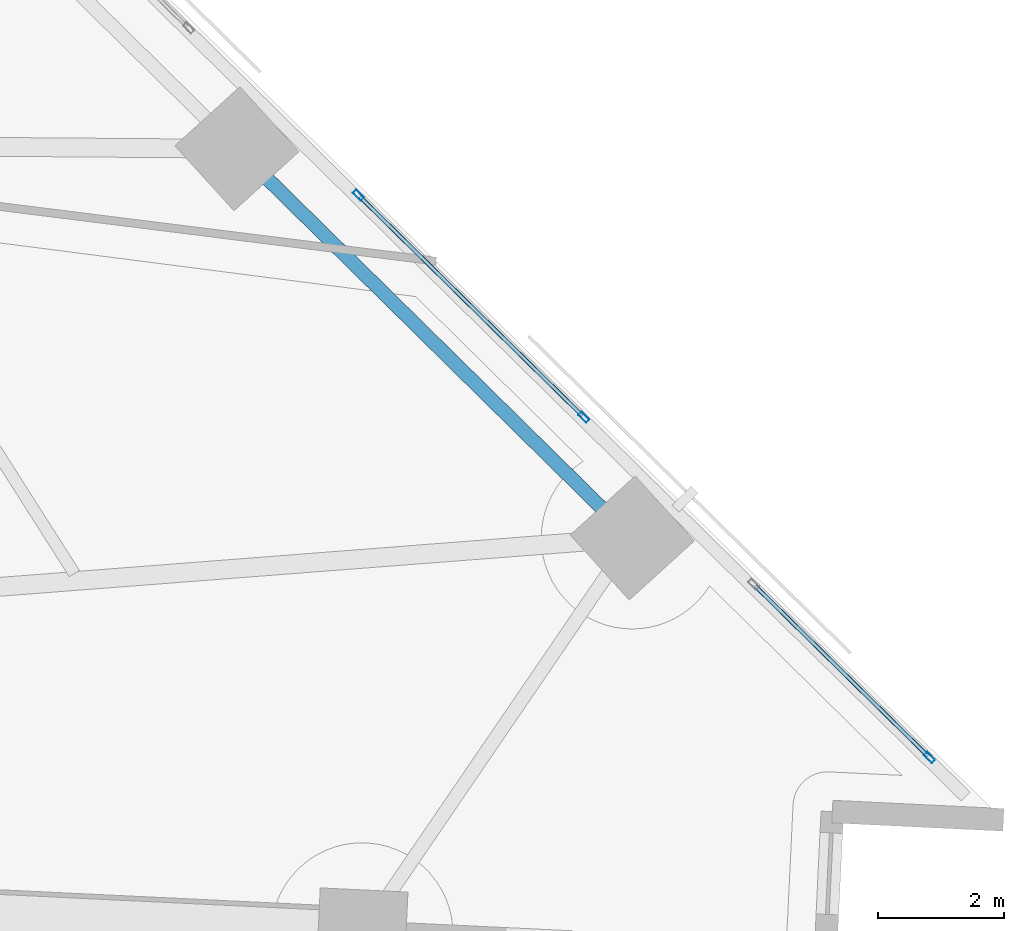
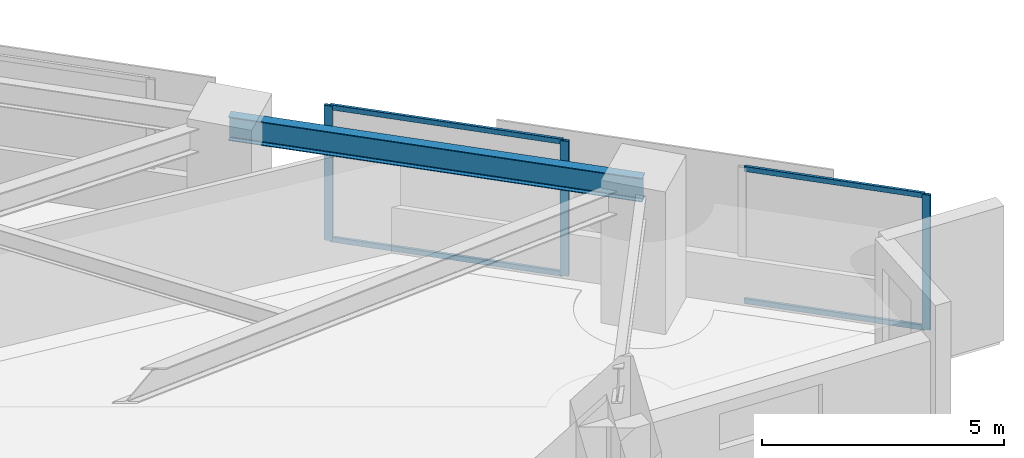
# One storey, part 5 of 17: 7 members, 1 beam, 2 elements without a shape of their own.
"""IFC4 building model written with IfcOpenShell, lengths in metres."""

from ifc_helpers import new_model, si_unit, direction, frame, origin, origin_2d, place, context, subcontext, project, spatial, hollow_rectangle, i_section, extrude, material, material_profile, profile_set, type_object, element, aggregate, save


model = new_model("IFC4")

# Units and contexts
model_context = context("Model", 3, precision=1e-05, world=origin(), true_north=direction((0.0, 1.0)))
body_context = subcontext(model_context, "Body", "Model", "MODEL_VIEW")
ifc_project = project(units=[si_unit("LENGTHUNIT", "METRE"), si_unit("AREAUNIT", "SQUARE_METRE"), si_unit("VOLUMEUNIT", "CUBIC_METRE"), si_unit("PLANEANGLEUNIT", "RADIAN"), si_unit("MASSUNIT", "GRAM", prefix="KILO")], contexts=[model_context])

# Site, building, storey
site_placement = place(None, origin())
site = spatial("IfcSite", under=ifc_project, at=site_placement, CompositionType="ELEMENT")
building_placement = place(site_placement, origin())
building = spatial("IfcBuilding", under=site, at=building_placement, Name="Narakoshi Arena Tower", CompositionType="ELEMENT")
storey_placement = place(building_placement, frame((0.0, 0.0, 51.89990234375)))
storey = spatial("IfcBuildingStorey", under=building, at=storey_placement, Name="L13", CompositionType="ELEMENT", Elevation=51.89990234375)

# Beam
ifc_material_1 = material(Name="Structural steel S355J2", Category="steel")
ifc_material_profile_1 = material_profile(ifc_material_1, i_section(OverallWidth=0.219970703125, OverallDepth=0.60009765625, WebThickness=0.011962890625, FlangeThickness=0.01904296875, FilletRadius=0.02392578125, at=origin_2d()), Name="IPE600")
ifc_profile_set_1 = profile_set([ifc_material_profile_1], Name="Structural steel S355J2")
beam_type = type_object("IfcBeamType", Name="BM-EDGE-600", PredefinedType="BEAM", material=ifc_profile_set_1)
beam_placement = place(storey_placement, frame((114.942138671875, 36.969970703125, 3.10009765625), z_axis=(-0.712540689328, 0.70163079041, 0.0), x_axis=(-0.70163079041, -0.712540689328, 0.0)))
element("IfcBeam", 1, at=beam_placement, inside=storey, type_object=beam_type, Name="L13 Perimeter Edge Girder 05", PredefinedType="BEAM", context=body_context, shape_type="SweptSolid", body=[
    extrude(i_section(OverallWidth=0.219970703125, OverallDepth=0.60009765625, WebThickness=0.011962890625, FlangeThickness=0.01904296875, FilletRadius=0.02392578125, at=origin_2d()), origin(), (0.0, 0.0, 1.0), 8.83935546875),
])

# Curtain wall, member
ifc_material_2 = material(Name="Anodised bronze aluminium 6063-T6", Category="aluminium")
curtain_wall_type = type_object("IfcCurtainWallType", Name="CW-HYP-LOW", PredefinedType="NOTDEFINED", material=ifc_material_2)
curtain_wall_1_placement = place(storey_placement, origin())
curtain_wall_1 = element("IfcCurtainWall", 2, at=curtain_wall_1_placement, inside=storey, type_object=curtain_wall_type, Name="L13 Folded Hypotenuse Curtain Wall 1-1", PredefinedType="NOTDEFINED")
ifc_material_profile_2 = material_profile(ifc_material_2, hollow_rectangle(XDim=0.074951171875, YDim=0.179931640625, WallThickness=0.00390625, OuterFilletRadius=0.0048828125, at=origin_2d()), Name="MUL180x75x4")
ifc_profile_set_2 = profile_set([ifc_material_profile_2], Name="Anodised bronze aluminium 6063-T6")
member_type_1 = type_object("IfcMemberType", Name="MEM-MUL-180", PredefinedType="MULLION", material=ifc_profile_set_2)
member_1_placement = place(storey_placement, frame((119.677734375, 33.471923828125, 0.0), z_axis=(0.0, 0.0, 1.0), x_axis=(-0.701630192894, -0.712541277695, 0.0)))
member_1 = element("IfcMember", 3, at=member_1_placement, type_object=member_type_1, Name="CW-01 mullion 1", PredefinedType="MULLION", context=body_context, shape_type="SweptSolid", body=[
    extrude(hollow_rectangle(XDim=0.074951171875, YDim=0.179931640625, WallThickness=0.00390625, OuterFilletRadius=0.0048828125, at=origin_2d()), origin(), (0.0, 0.0, 1.0), 3.400146484375),
])

# Curtain wall, members
curtain_wall_2_placement = place(storey_placement, origin())
curtain_wall_2 = element("IfcCurtainWall", 4, at=curtain_wall_2_placement, inside=storey, type_object=curtain_wall_type, Name="L13 Folded Hypotenuse Curtain Wall 1-2", PredefinedType="NOTDEFINED")
member_2_placement = place(storey_placement, frame((114.17138671875, 38.893798828125, 0.0), z_axis=(0.0, 0.0, 1.0), x_axis=(-0.701623031404, -0.712548329451, 0.0)))
member_2 = element("IfcMember", 5, at=member_2_placement, type_object=member_type_1, Name="CW-01 mullion 1", PredefinedType="MULLION", context=body_context, shape_type="SweptSolid", body=[
    extrude(hollow_rectangle(XDim=0.074951171875, YDim=0.179931640625, WallThickness=0.00390625, OuterFilletRadius=0.0048828125, at=origin_2d()), origin(), (0.0, 0.0, 1.0), 3.400146484375),
])
member_3_placement = place(storey_placement, frame((110.578857421875, 42.43115234375, 0.0), z_axis=(0.0, 0.0, 1.0), x_axis=(-0.701623031404, -0.712548329451, 0.0)))
member_3 = element("IfcMember", 6, at=member_3_placement, type_object=member_type_1, Name="CW-01 mullion 2", PredefinedType="MULLION", context=body_context, shape_type="SweptSolid", body=[
    extrude(hollow_rectangle(XDim=0.074951171875, YDim=0.179931640625, WallThickness=0.00390625, OuterFilletRadius=0.0048828125, at=origin_2d()), origin(), (0.0, 0.0, 1.0), 3.400146484375),
])

# Member
ifc_material_profile_3 = material_profile(ifc_material_2, hollow_rectangle(XDim=0.06494140625, YDim=0.1298828125, WallThickness=0.00390625, OuterFilletRadius=0.0048828125, at=origin_2d()), Name="TRN130x65x4")
ifc_profile_set_3 = profile_set([ifc_material_profile_3], Name="Anodised bronze aluminium 6063-T6")
member_type_2 = type_object("IfcMemberType", Name="MEM-TRN-130", PredefinedType="USERDEFINED", material=ifc_profile_set_3)
member_4_placement = place(storey_placement, frame((119.65087890625, 33.498046875, 0.03271484375), z_axis=(-0.712532234505, 0.701639376596, 0.0), x_axis=(-0.701639376596, -0.712532234505, 0.0)))
member_4 = element("IfcMember", 7, at=member_4_placement, type_object=member_type_2, Name="CW-01 transom 1.1", ObjectType="TRANSOM", PredefinedType="USERDEFINED", context=body_context, shape_type="SweptSolid", body=[
    extrude(hollow_rectangle(XDim=0.06494140625, YDim=0.1298828125, WallThickness=0.00390625, OuterFilletRadius=0.0048828125, at=origin_2d()), origin(), (0.0, 0.0, 1.0), 3.85498046875),
])

member_5_placement = place(storey_placement, frame((119.65087890625, 33.498046875, 3.36767578125), z_axis=(-0.712532234505, 0.701639376596, 0.0), x_axis=(-0.701639376596, -0.712532234505, 0.0)))
member_5 = element("IfcMember", 8, at=member_5_placement, type_object=member_type_2, Name="CW-01 transom 1.2", ObjectType="TRANSOM", PredefinedType="USERDEFINED", context=body_context, shape_type="SweptSolid", body=[
    extrude(hollow_rectangle(XDim=0.06494140625, YDim=0.1298828125, WallThickness=0.00390625, OuterFilletRadius=0.0048828125, at=origin_2d()), origin(), (0.0, 0.0, 1.0), 3.85498046875),
])

aggregate(curtain_wall_1, [member_1, member_4, member_5])

member_6_placement = place(storey_placement, frame((114.14453125, 38.920166015625, 0.03271484375), z_axis=(-0.712542243067, 0.701629212508, 0.0), x_axis=(-0.701629212508, -0.712542243067, 0.0)))
member_6 = element("IfcMember", 9, at=member_6_placement, type_object=member_type_2, Name="CW-01 transom 1.1", ObjectType="TRANSOM", PredefinedType="USERDEFINED", context=body_context, shape_type="SweptSolid", body=[
    extrude(hollow_rectangle(XDim=0.06494140625, YDim=0.1298828125, WallThickness=0.00390625, OuterFilletRadius=0.0048828125, at=origin_2d()), origin(), (0.0, 0.0, 1.0), 4.966552734375),
])

member_7_placement = place(storey_placement, frame((114.14453125, 38.920166015625, 3.36767578125), z_axis=(-0.712542243067, 0.701629212508, 0.0), x_axis=(-0.701629212508, -0.712542243067, 0.0)))
member_7 = element("IfcMember", 10, at=member_7_placement, type_object=member_type_2, Name="CW-01 transom 1.2", ObjectType="TRANSOM", PredefinedType="USERDEFINED", context=body_context, shape_type="SweptSolid", body=[
    extrude(hollow_rectangle(XDim=0.06494140625, YDim=0.1298828125, WallThickness=0.00390625, OuterFilletRadius=0.0048828125, at=origin_2d()), origin(), (0.0, 0.0, 1.0), 4.966552734375),
])

aggregate(curtain_wall_2, [member_2, member_3, member_6, member_7])

save(model, "model.ifc")
